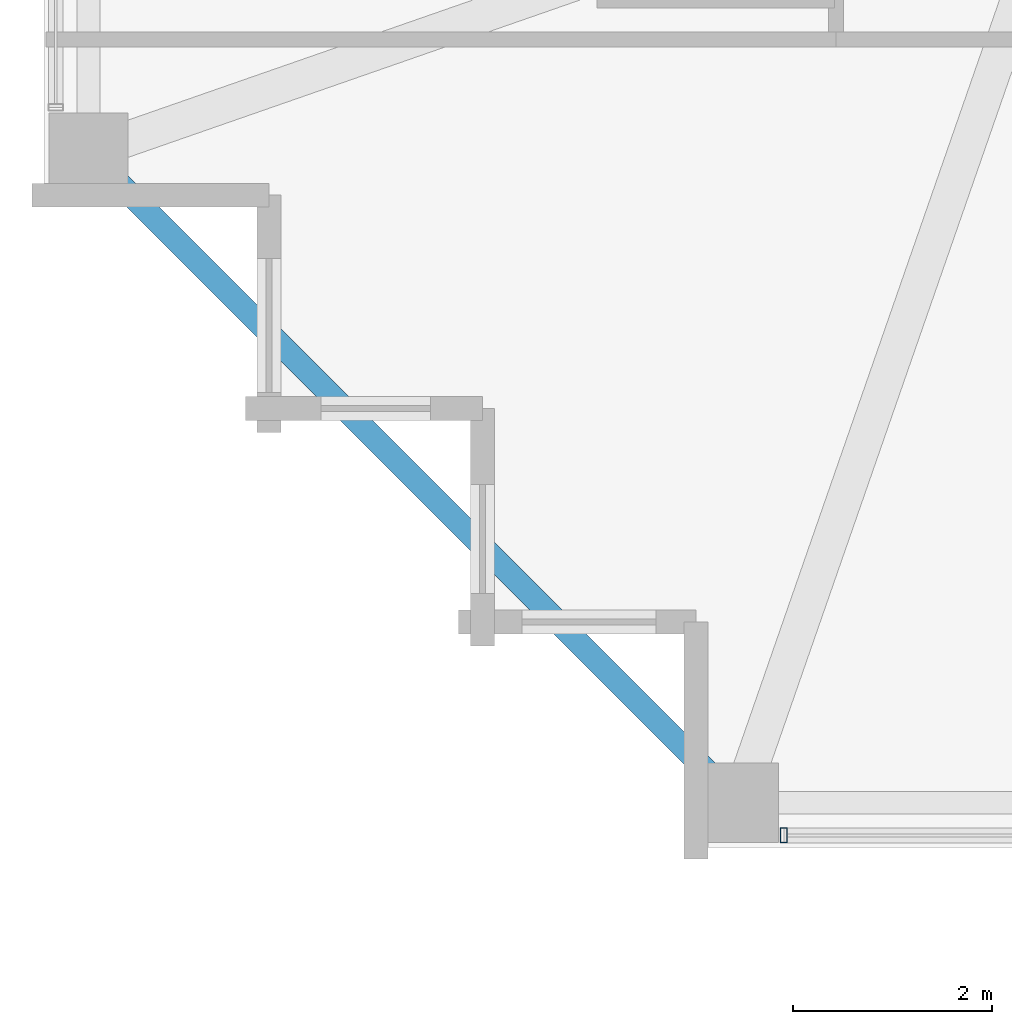
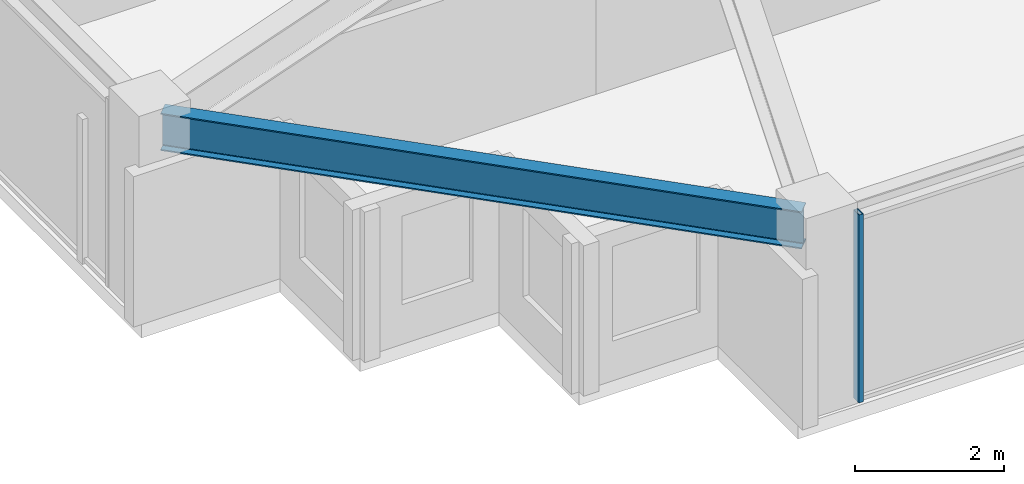
# One storey, part 2 of 36: 1 beam, 1 member, 1 element without a shape of its own.
"""IFC4 building model written with IfcOpenShell, lengths in metres."""

from ifc_helpers import new_model, si_unit, direction, frame, origin, origin_2d, place, context, subcontext, project, spatial, hollow_rectangle, i_section, extrude, material, material_profile, profile_set, type_object, element, aggregate, save


model = new_model("IFC4")

# Units and contexts
model_context = context("Model", 3, precision=1e-05, world=origin(), true_north=direction((0.0, 1.0)))
body_context = subcontext(model_context, "Body", "Model", "MODEL_VIEW")
ifc_project = project(units=[si_unit("LENGTHUNIT", "METRE"), si_unit("AREAUNIT", "SQUARE_METRE"), si_unit("VOLUMEUNIT", "CUBIC_METRE"), si_unit("PLANEANGLEUNIT", "RADIAN"), si_unit("MASSUNIT", "GRAM", prefix="KILO")], contexts=[model_context])

# Site, building, storey
site_placement = place(None, origin())
site = spatial("IfcSite", under=ifc_project, at=site_placement, CompositionType="ELEMENT")
building_placement = place(site_placement, origin())
building = spatial("IfcBuilding", under=site, at=building_placement, Name="Kolvaren Belvedere", CompositionType="ELEMENT")
storey_placement = place(building_placement, frame((0.0, 0.0, 196.5)))
storey = spatial("IfcBuildingStorey", under=building, at=storey_placement, Name="L57", CompositionType="ELEMENT", Elevation=196.5)

# Beam
ifc_material_1 = material(Name="Structural steel ASTM A992 Grade 50", Category="steel")
ifc_material_profile_1 = material_profile(ifc_material_1, i_section(OverallWidth=0.22900390625, OverallDepth=0.612060546875, WebThickness=0.011962890625, FlangeThickness=0.01953125, FilletRadius=0.01806640625, at=origin_2d()), Name="W24X84")
ifc_profile_set_1 = profile_set([ifc_material_profile_1], Name="Structural steel ASTM A992 Grade 50")
beam_type = type_object("IfcBeamType", Name="BM-SPAN-W24X84", PredefinedType="SPANDREL", material=ifc_profile_set_1)
beam_placement = place(storey_placement, frame((-19.82275390625, -13.52734375, 2.77392578125), z_axis=(0.707106781187, -0.707106781187, 0.0), x_axis=(0.707106781187, 0.707106781187, 0.0)))
element("IfcBeam", 1, at=beam_placement, inside=storey, type_object=beam_type, Name="L57 Perimeter Spandrel W1-S1", PredefinedType="SPANDREL", context=body_context, shape_type="SweptSolid", body=[
    extrude(i_section(OverallWidth=0.22900390625, OverallDepth=0.612060546875, WebThickness=0.011962890625, FlangeThickness=0.01953125, FilletRadius=0.01806640625, at=origin_2d()), origin(), (0.0, 0.0, 1.0), 8.903076171875),
])

# Curtain wall, member
ifc_material_2 = material(Name="Anodised pale-metal aluminium AA 6063-T6", Category="aluminium")
curtain_wall_type = type_object("IfcCurtainWallType", Name="CW-Z5-HIGH", PredefinedType="NOTDEFINED", material=ifc_material_2)
curtain_wall_placement = place(storey_placement, origin())
curtain_wall = element("IfcCurtainWall", 2, at=curtain_wall_placement, inside=storey, type_object=curtain_wall_type, Name="L57 Unitised Curtain Wall FCW-L57-S2-B2", PredefinedType="NOTDEFINED")
ifc_material_3 = material(Name="Anodised pale-metal aluminium AA 6063-T6", Category="aluminium")
ifc_material_profile_2 = material_profile(ifc_material_3, hollow_rectangle(XDim=0.070068359375, YDim=0.14990234375, WallThickness=0.004150390625, at=origin_2d()), Name="ALU-MUL-150X70")
ifc_profile_set_2 = profile_set([ifc_material_profile_2], Name="Anodised pale-metal aluminium AA 6063-T6")
member_type = type_object("IfcMemberType", Name="CW-MUL-150", PredefinedType="MULLION", material=ifc_profile_set_2)
member_placement = place(storey_placement, frame((-12.945068359375, -20.280029296875, 0.0), z_axis=(0.0, 0.0, 1.0), x_axis=(1.0, 0.0, 0.0)))
member = element("IfcMember", 3, at=member_placement, type_object=member_type, Name="FCW-L57-S2-B2 Unitised Mullion 3", PredefinedType="MULLION", context=body_context, shape_type="SweptSolid", body=[
    extrude(hollow_rectangle(XDim=0.070068359375, YDim=0.14990234375, WallThickness=0.004150390625, at=origin_2d()), origin(), (0.0, 0.0, 1.0), 3.080078125),
])
aggregate(curtain_wall, [member])

save(model, "model.ifc")
